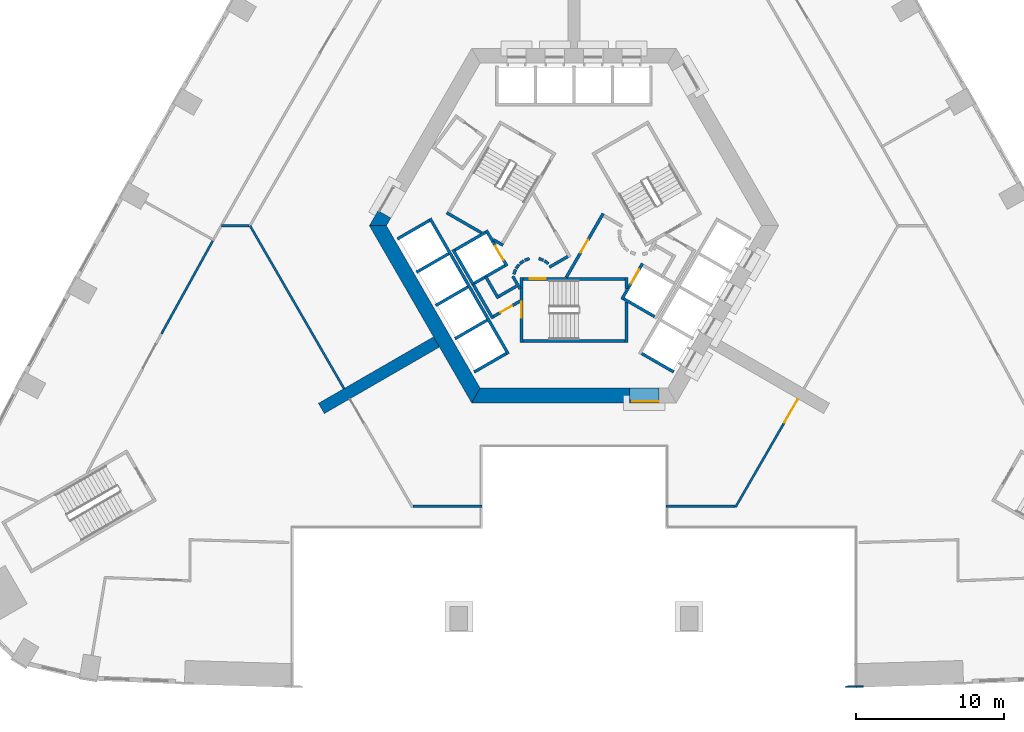
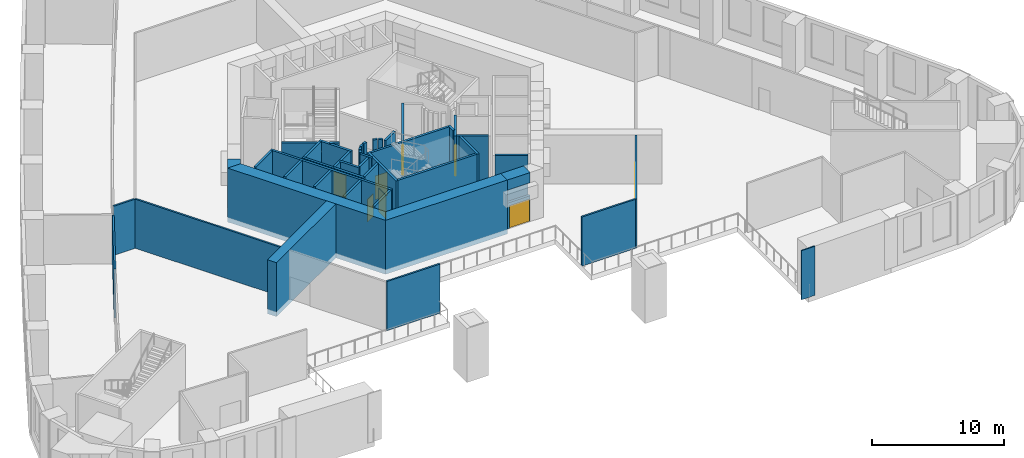
# One storey, part 3 of 16: 46 walls, 8 doors, 8 openings.
"""IFC4 building model written with IfcOpenShell, lengths in metres."""

from ifc_helpers import new_model, si_unit, direction, frame, frame_2d, origin, place, context, subcontext, project, spatial, polyline, rectangle, outline, extrude, material, layer, layer_set, type_object, element, fill, save


model = new_model("IFC4")

# Units and contexts
model_context = context("Model", 3, precision=1e-05, world=origin(), true_north=direction((0.0, 1.0)))
body_context = subcontext(model_context, "Body", "Model", "MODEL_VIEW")
ifc_project = project(units=[si_unit("LENGTHUNIT", "METRE"), si_unit("AREAUNIT", "SQUARE_METRE"), si_unit("VOLUMEUNIT", "CUBIC_METRE"), si_unit("PLANEANGLEUNIT", "RADIAN"), si_unit("MASSUNIT", "GRAM", prefix="KILO")], contexts=[model_context])

# Site, building, storey
site_placement = place(None, origin())
site = spatial("IfcSite", under=ifc_project, at=site_placement, CompositionType="ELEMENT")
building_placement = place(site_placement, origin())
building = spatial("IfcBuilding", under=site, at=building_placement, Name="Entoto Arch Interchange Tower", CompositionType="ELEMENT")
storey_placement = place(building_placement, frame((0.0, 0.0, 20.0)))
storey = spatial("IfcBuildingStorey", under=building, at=storey_placement, Name="L03", CompositionType="ELEMENT", Elevation=20.0)

# Wall
ifc_material_1 = material(Name="Concrete C60/75", Category="concrete")
ifc_layer_1 = layer(ifc_material_1, 0.800048828125)
ifc_layer_set_1 = layer_set([ifc_layer_1], Name="Concrete C60/75")
wall_type_1 = type_object("IfcWallType", Name="Buttress wall 800 C60/75", PredefinedType="SHEAR", material=ifc_layer_set_1)
wall_1_placement = place(storey_placement, frame((-9.31005859375, -5.375, -0.449951171875), z_axis=(0.0, 0.0, 1.0), x_axis=(-0.866017533419, -0.500013631625, 0.0)))
element("IfcWall", 1, at=wall_1_placement, inside=storey, type_object=wall_type_1, Name="Buttress wall SW L03", PredefinedType="SHEAR", context=body_context, shape_type="SweptSolid", body=[
    extrude(rectangle(XDim=8.999755859375, YDim=0.800048828125, at=frame_2d((4.5, 0.0))), origin(), (0.0, 0.0, 1.0), 5.0),
])

# Wall, opening, door
ifc_material_2 = material(Name="Reinforced concrete C40/50", Category="concrete")
ifc_layer_2 = layer(ifc_material_2, 0.199951171875)
ifc_layer_set_2 = layer_set([ifc_layer_2], Name="Reinforced concrete C40/50")
wall_type_2 = type_object("IfcWallType", Name="CORE GAP INFILL WALL", PredefinedType="PARTITIONING", material=ifc_layer_set_2)
wall_2_placement = place(storey_placement, frame((3.75, -9.39990234375, 0.0), z_axis=(0.0, 0.0, 1.0), x_axis=(1.0, 0.0, 0.0)))
wall_2 = element("IfcWall", 2, at=wall_2_placement, inside=storey, type_object=wall_type_2, Name="wall:L03:gap1", PredefinedType="PARTITIONING", context=body_context, shape_type="SweptSolid", body=[
    extrude(rectangle(XDim=2.0, YDim=0.199951171875, at=frame_2d((1.0, 0.0))), origin(), (0.0, 0.0, 1.0), 2.39990234375),
])
opening_1_placement = place(wall_2_placement, frame((0.18994140625, 0.0, 0.0)))
opening_1 = element("IfcOpeningElement", 3, at=opening_1_placement, cuts=wall_2, Name="Opening L03-D91", PredefinedType="OPENING", context=body_context, shape_type="SweptSolid", body=[
    extrude(rectangle(XDim=1.800048828125, YDim=2.10009765625, at=frame_2d((0.89990234375, 1.050048828125))), frame((0.0, 0.10986328125, 0.0), z_axis=(0.0, -1.0, 0.0), x_axis=(1.0, 0.0, 0.0)), (0.0, 0.0, 1.0), 0.219970703125),
])
ifc_material_3 = material(Name="Fire-rated Steel S235 door and frame", Category="steel")
door_type_1 = type_object("IfcDoorType", Name="DOOR FD-18 1800x2100", OperationType="DOUBLE_DOOR_SINGLE_SWING", PredefinedType="DOOR", material=ifc_material_3)
door_1_placement = place(opening_1_placement, origin())
door_1 = element("IfcDoor", 4, at=door_1_placement, inside=storey, type_object=door_type_1, Name="door:L03:gap1", OperationType="DOUBLE_DOOR_SINGLE_SWING", OverallHeight=2.10009765625, OverallWidth=1.800048828125, PredefinedType="DOOR", context=body_context, shape_type="SweptSolid", body=[
    extrude(rectangle(XDim=1.800048828125, YDim=2.10009765625, at=frame_2d((0.89990234375, 1.050048828125))), frame((0.0, 0.02490234375, 0.0), z_axis=(0.0, -1.0, 0.0), x_axis=(1.0, 0.0, 0.0)), (0.0, 0.0, 1.0), 0.050048828125),
])
fill(opening_1, door_1)

# Walls
ifc_layer_3 = layer(ifc_material_1, 1.0)
ifc_layer_set_3 = layer_set([ifc_layer_3], Name="Concrete C60/75")
wall_type_3 = type_object("IfcWallType", Name="Core wall 1000 C60/75", PredefinedType="SHEAR", material=ifc_layer_set_3)
wall_3_placement = place(storey_placement, frame((0.0, 0.0, -0.449951171875)))
element("IfcWall", 5, at=wall_3_placement, inside=storey, type_object=wall_type_3, Name="Core wall NW L03", PredefinedType="SHEAR", context=body_context, shape_type="SweptSolid", body=[
    extrude(outline(polyline([(-12.402099609375, 3.02001953125), (-13.26708984375, 3.52001953125), (-13.85595703125, 2.5), (-12.701904296875, 2.5), (-12.402099609375, 3.02001953125)])), origin(), (0.0, 0.0, 1.0), 5.0),
])
wall_4_placement = place(storey_placement, frame((0.0, 0.0, -0.449951171875)))
element("IfcWall", 6, at=wall_4_placement, inside=storey, type_object=wall_type_3, Name="Core wall SW L03", PredefinedType="SHEAR", context=body_context, shape_type="SweptSolid", body=[
    extrude(outline(polyline([(-13.85595703125, 2.5), (-6.927978515625, -9.5), (-6.35107421875, -8.5), (-12.701904296875, 2.5), (-13.85595703125, 2.5)])), origin(), (0.0, 0.0, 1.0), 5.0),
])
wall_5_placement = place(storey_placement, frame((0.0, 0.0, -0.449951171875)))
element("IfcWall", 7, at=wall_5_placement, inside=storey, type_object=wall_type_3, Name="Core wall S L03", PredefinedType="SHEAR", context=body_context, shape_type="SweptSolid", body=[
    extrude(outline(polyline([(3.75, -9.5), (3.75, -8.5), (-6.35107421875, -8.5), (-6.927978515625, -9.5), (3.75, -9.5)])), origin(), (0.0, 0.0, 1.0), 5.0),
])
wall_6_placement = place(storey_placement, frame((0.0, 0.0, 3.60009765625)))
element("IfcWall", 8, at=wall_6_placement, inside=storey, type_object=wall_type_3, Name="Core wall lintel S L03", PredefinedType="SHEAR", context=body_context, shape_type="SweptSolid", body=[
    extrude(outline(polyline([(5.75, -9.5), (5.75, -8.5), (3.75, -8.5), (3.75, -9.5), (5.75, -9.5)])), origin(), (0.0, 0.0, 1.0), 0.949951171875),
])

# Wall, opening, door
ifc_material_4 = material(Name="Concrete C40/50", Category="concrete")
ifc_layer_4 = layer(ifc_material_4, 0.199951171875)
ifc_layer_set_4 = layer_set([ifc_layer_4], Name="Concrete C40/50")
wall_type_4 = type_object("IfcWallType", Name="LIFT SHAFT WALL 200", PredefinedType="STANDARD", material=ifc_layer_set_4)
wall_7_placement = place(storey_placement, frame((-5.93994140625, 2.18798828125, 0.0), z_axis=(0.0, 0.0, 1.0), x_axis=(0.49994636267, -0.866056369097, 0.0)))
wall_7 = element("IfcWall", 9, at=wall_7_placement, inside=storey, type_object=wall_type_4, Name="Shaft wall SW1 front", PredefinedType="STANDARD", context=body_context, shape_type="SweptSolid", body=[
    extrude(rectangle(XDim=2.800048828125, YDim=0.199951171875, at=frame_2d((1.39990234375, 0.0))), origin(), (0.0, 0.0, 1.0), 4.550048828125),
])
opening_2_placement = place(wall_7_placement, frame((1.22509765625, 0.0, 0.0)))
opening_2 = element("IfcOpeningElement", 10, at=opening_2_placement, cuts=wall_7, Name="Opening LD-FF2-L03", PredefinedType="OPENING", context=body_context, shape_type="SweptSolid", body=[
    extrude(rectangle(XDim=1.10009765625, YDim=2.10009765625, at=frame_2d((0.550048828125, 1.050048828125))), frame((0.0, 0.10986328125, 0.0), z_axis=(0.0, -1.0, 0.0), x_axis=(1.0, 0.0, 0.0)), (0.0, 0.0, 1.0), 0.219970703125),
])
ifc_material_5 = material(Name="Stainless steel 1.4301 panels", Category="steel")
door_type_2 = type_object("IfcDoorType", Name="LIFT LANDING DOOR LD1 1100x2100", OperationType="SLIDING_TO_LEFT", PredefinedType="DOOR", material=ifc_material_5)
door_2_placement = place(opening_2_placement, origin())
door_2 = element("IfcDoor", 11, at=door_2_placement, inside=storey, type_object=door_type_2, Name="Lift landing door FF2 L03", OperationType="SLIDING_TO_LEFT", OverallHeight=2.10009765625, OverallWidth=1.10009765625, PredefinedType="DOOR", context=body_context, shape_type="SweptSolid", body=[
    extrude(rectangle(XDim=1.10009765625, YDim=2.10009765625, at=frame_2d((0.550048828125, 1.050048828125))), frame((0.0, 0.02490234375, 0.0), z_axis=(0.0, -1.0, 0.0), x_axis=(1.0, 0.0, 0.0)), (0.0, 0.0, 1.0), 0.050048828125),
])
fill(opening_2, door_2)

# Walls
wall_8_placement = place(storey_placement, frame((-8.19189453125, 0.887939453125, 0.0), z_axis=(0.0, 0.0, 1.0), x_axis=(0.49994636267, -0.866056369097, 0.0)))
element("IfcWall", 12, at=wall_8_placement, inside=storey, type_object=wall_type_4, Name="Shaft wall SW1 back", PredefinedType="STANDARD", context=body_context, shape_type="SweptSolid", body=[
    extrude(rectangle(XDim=2.800048828125, YDim=0.199951171875, at=frame_2d((1.39990234375, 0.0))), origin(), (0.0, 0.0, 1.0), 4.550048828125),
])
for number, where, z_axis, x_axis, name in (
    (13, (-5.97705078125, 2.052001953125, 0.0), (0.0, 0.0, 1.0), (-0.865973769406, -0.500089422704, 0.0), "Shaft wall SW1 cross 1"),
    (14, (-4.677001953125, -0.199951171875, 0.0), (0.0, 0.0, 1.0), (-0.865973769406, -0.500089422704, 0.0), "Shaft wall SW1 cross 2"),
):
    element("IfcWall", number, at=place(storey_placement, frame(where, z_axis=z_axis, x_axis=x_axis)), inside=storey, type_object=wall_type_4, Name=name, PredefinedType="STANDARD", context=body_context, shape_type="SweptSolid", body=[
        extrude(rectangle(XDim=2.3994140625, YDim=0.199951171875, at=frame_2d((1.19970703125, 0.0))), origin(), (0.0, 0.0, 1.0), 4.550048828125),
    ])
wall_9_placement = place(storey_placement, frame((-9.7509765625, 2.989990234375, 0.0), z_axis=(0.0, 0.0, 1.0), x_axis=(0.50000090737, -0.866024879913, 0.0)))
element("IfcWall", 15, at=wall_9_placement, inside=storey, type_object=wall_type_4, Name="Shaft wall SW3 front", PredefinedType="STANDARD", context=body_context, shape_type="SweptSolid", body=[
    extrude(rectangle(XDim=10.60009765625, YDim=0.199951171875, at=frame_2d((5.300048828125, 0.0))), origin(), (0.0, 0.0, 1.0), 4.550048828125),
])
wall_10_placement = place(storey_placement, frame((-9.7880859375, 2.85302734375, 0.0), z_axis=(0.0, 0.0, 1.0), x_axis=(-0.865998541277, -0.500046524342, 0.0)))
element("IfcWall", 16, at=wall_10_placement, inside=storey, type_object=wall_type_4, Name="Shaft wall SW3 cross 1", PredefinedType="STANDARD", context=body_context, shape_type="SweptSolid", body=[
    extrude(rectangle(XDim=2.499755859375, YDim=0.199951171875, at=frame_2d((1.25, 0.0))), origin(), (0.0, 0.0, 1.0), 4.550048828125),
])
for number, where, z_axis, x_axis, name in (
    (17, (-8.488037109375, 0.60205078125, 0.0), (0.0, 0.0, 1.0), (-0.866022959057, -0.500004234368, 0.0), "Shaft wall SW3 cross 2"),
    (18, (-7.18798828125, -1.64990234375, 0.0), (0.0, 0.0, 1.0), (-0.866022959057, -0.500004234368, 0.0), "Shaft wall SW3 cross 3"),
    (19, (-5.887939453125, -3.902099609375, 0.0), (0.0, 0.0, 1.0), (-0.866022959057, -0.500004234368, 0.0), "Shaft wall SW3 cross 4"),
    (20, (-4.587890625, -6.153076171875, 0.0), (0.0, 0.0, 1.0), (-0.866022959057, -0.500004234368, 0.0), "Shaft wall SW3 cross 5"),
):
    element("IfcWall", number, at=place(storey_placement, frame(where, z_axis=z_axis, x_axis=x_axis)), inside=storey, type_object=wall_type_4, Name=name, PredefinedType="STANDARD", context=body_context, shape_type="SweptSolid", body=[
        extrude(rectangle(XDim=2.5, YDim=0.199951171875, at=frame_2d((1.25, 0.0))), origin(), (0.0, 0.0, 1.0), 4.550048828125),
    ])

# Wall, opening, door
wall_11_placement = place(storey_placement, frame((3.239990234375, -2.488037109375, 0.0), z_axis=(0.0, 0.0, 1.0), x_axis=(0.49994636267, 0.866056369097, 0.0)))
wall_11 = element("IfcWall", 21, at=wall_11_placement, inside=storey, type_object=wall_type_4, Name="Shaft wall SE1 front", PredefinedType="STANDARD", context=body_context, shape_type="SweptSolid", body=[
    extrude(rectangle(XDim=2.800048828125, YDim=0.199951171875, at=frame_2d((1.39990234375, 0.0))), origin(), (0.0, 0.0, 1.0), 4.550048828125),
])
opening_3_placement = place(wall_11_placement, frame((1.22509765625, 0.0, 0.0)))
opening_3 = element("IfcOpeningElement", 22, at=opening_3_placement, cuts=wall_11, Name="Opening LD-FF1-L03", PredefinedType="OPENING", context=body_context, shape_type="SweptSolid", body=[
    extrude(rectangle(XDim=1.10009765625, YDim=2.10009765625, at=frame_2d((0.550048828125, 1.050048828125))), frame((0.0, 0.10986328125, 0.0), z_axis=(0.0, -1.0, 0.0), x_axis=(1.0, 0.0, 0.0)), (0.0, 0.0, 1.0), 0.219970703125),
])
door_3_placement = place(opening_3_placement, origin())
door_3 = element("IfcDoor", 23, at=door_3_placement, inside=storey, type_object=door_type_2, Name="Lift landing door FF1 L03", OperationType="SLIDING_TO_LEFT", OverallHeight=2.10009765625, OverallWidth=1.10009765625, PredefinedType="DOOR", context=body_context, shape_type="SweptSolid", body=[
    extrude(rectangle(XDim=1.10009765625, YDim=2.10009765625, at=frame_2d((0.550048828125, 1.050048828125))), frame((0.0, 0.02490234375, 0.0), z_axis=(0.0, -1.0, 0.0), x_axis=(1.0, 0.0, 0.0)), (0.0, 0.0, 1.0), 0.050048828125),
])
fill(opening_3, door_3)

# Walls
wall_12_placement = place(storey_placement, frame((3.376953125, -2.451904296875, 0.0), z_axis=(0.0, 0.0, 1.0), x_axis=(0.865955154139, -0.50012165622, 0.0)))
element("IfcWall", 24, at=wall_12_placement, inside=storey, type_object=wall_type_4, Name="Shaft wall SE1 cross 1", PredefinedType="STANDARD", context=body_context, shape_type="SweptSolid", body=[
    extrude(rectangle(XDim=2.39990234375, YDim=0.199951171875, at=frame_2d((1.199951171875, 0.0))), origin(), (0.0, 0.0, 1.0), 4.550048828125),
])
wall_13_placement = place(storey_placement, frame((4.587890625, -6.153076171875, 0.0), z_axis=(0.0, 0.0, 1.0), x_axis=(0.866022959057, -0.500004234368, 0.0)))
element("IfcWall", 25, at=wall_13_placement, inside=storey, type_object=wall_type_4, Name="Shaft wall SE3 cross 1", PredefinedType="STANDARD", context=body_context, shape_type="SweptSolid", body=[
    extrude(rectangle(XDim=2.5, YDim=0.199951171875, at=frame_2d((1.25, 0.0))), origin(), (0.0, 0.0, 1.0), 4.550048828125),
])
ifc_material_6 = material(Name="Gypsum board partition on steel studs", Category="steel")
ifc_layer_5 = layer(ifc_material_6, 0.14990234375)
ifc_layer_set_5 = layer_set([ifc_layer_5], Name="Gypsum board partition on steel studs")
wall_type_5 = type_object("IfcWallType", Name="PARTITION 150", PredefinedType="PARTITIONING", material=ifc_layer_set_5)
wall_14_placement = place(storey_placement, frame((-24.4580078125, 1.47705078125, 0.0), z_axis=(0.0, 0.0, 1.0), x_axis=(-0.483150131412, -0.875537520907, 0.0)))
element("IfcWall", 26, at=wall_14_placement, inside=storey, type_object=wall_type_5, Name="wall:L03:p065", PredefinedType="PARTITIONING", context=body_context, shape_type="SweptSolid", body=[
    extrude(rectangle(XDim=7.181884765625, YDim=0.14990234375, at=frame_2d((3.5908203125, 0.0))), origin(), (0.0, 0.0, 1.0), 4.550048828125),
])
for number, where, z_axis, x_axis, name in (
    (27, (-6.219970703125, -16.5, 0.0), (0.0, 0.0, 1.0), (-1.0, 0.0, 0.0), "wall:L03:p069"),
    (28, (10.89501953125, -16.5, 0.0), (0.0, 0.0, 1.0), (-1.0, 0.0, 0.0), "wall:L03:p072"),
):
    element("IfcWall", number, at=place(storey_placement, frame(where, z_axis=z_axis, x_axis=x_axis)), inside=storey, type_object=wall_type_5, Name=name, PredefinedType="PARTITIONING", context=body_context, shape_type="SweptSolid", body=[
        extrude(rectangle(XDim=4.675048828125, YDim=0.14990234375, at=frame_2d((2.33740234375, 0.0))), origin(), (0.0, 0.0, 1.0), 4.550048828125),
    ])
wall_15_placement = place(storey_placement, frame((-23.881103515625, 2.5, 0.0), z_axis=(0.0, 0.0, 1.0), x_axis=(1.0, 0.0, 0.0)))
element("IfcWall", 29, at=wall_15_placement, inside=storey, type_object=wall_type_5, Name="wall:L03:p076", PredefinedType="PARTITIONING", context=body_context, shape_type="SweptSolid", body=[
    extrude(rectangle(XDim=1.8671875, YDim=0.14990234375, at=frame_2d((0.93359375, 0.0))), origin(), (0.0, 0.0, 1.0), 4.550048828125),
])
wall_16_placement = place(storey_placement, frame((-15.572021484375, -8.529052734375, 0.0), z_axis=(0.0, 0.0, 1.0), x_axis=(-0.499959763273, 0.866048633224, 0.0)))
element("IfcWall", 30, at=wall_16_placement, inside=storey, type_object=wall_type_5, Name="wall:L03:p070", PredefinedType="PARTITIONING", context=body_context, shape_type="SweptSolid", body=[
    extrude(rectangle(XDim=12.73486328125, YDim=0.14990234375, at=frame_2d((6.367431640625, 0.0))), origin(), (0.0, 0.0, 1.0), 4.550048828125),
])

# Wall, opening, door
wall_17_placement = place(storey_placement, frame((15.172119140625, -9.221923828125, 0.0), z_axis=(0.0, 0.0, 1.0), x_axis=(-0.499957584211, -0.866049891167, 0.0)))
wall_17 = element("IfcWall", 31, at=wall_17_placement, inside=storey, type_object=wall_type_5, Name="wall:L03:p071", PredefinedType="PARTITIONING", context=body_context, shape_type="SweptSolid", body=[
    extrude(rectangle(XDim=8.478759765625, YDim=0.14990234375, at=frame_2d((4.2392578125, 0.0))), origin(), (0.0, 0.0, 1.0), 4.550048828125),
])
opening_4_placement = place(wall_17_placement, frame((0.044921875, 0.0, 0.0)))
opening_4 = element("IfcOpeningElement", 32, at=opening_4_placement, cuts=wall_17, Name="Opening L03-D02", PredefinedType="OPENING", context=body_context, shape_type="SweptSolid", body=[
    extrude(rectangle(XDim=1.800048828125, YDim=2.10009765625, at=frame_2d((0.89990234375, 1.050048828125))), frame((0.0, 0.0849609375, 0.0), z_axis=(0.0, -1.0, 0.0), x_axis=(1.0, 0.0, 0.0)), (0.0, 0.0, 1.0), 0.169921875),
])
door_4_placement = place(opening_4_placement, origin())
door_4 = element("IfcDoor", 33, at=door_4_placement, inside=storey, type_object=door_type_1, Name="door:L03:02", OperationType="DOUBLE_DOOR_SINGLE_SWING", OverallHeight=2.10009765625, OverallWidth=1.800048828125, PredefinedType="DOOR", context=body_context, shape_type="SweptSolid", body=[
    extrude(rectangle(XDim=1.800048828125, YDim=2.10009765625, at=frame_2d((0.89990234375, 1.050048828125))), frame((0.0, 0.02490234375, 0.0), z_axis=(0.0, -1.0, 0.0), x_axis=(1.0, 0.0, 0.0)), (0.0, 0.0, 1.0), 0.050048828125),
])
fill(opening_4, door_4)

# Walls
ifc_layer_6 = layer(ifc_material_6, 0.199951171875)
ifc_layer_set_6 = layer_set([ifc_layer_6], Name="Gypsum board partition on steel studs")
wall_type_6 = type_object("IfcWallType", Name="PARTITION 200", PredefinedType="PARTITIONING", material=ifc_layer_set_6)
wall_18_placement = place(storey_placement, frame((-3.89990234375, -1.59912109375, 0.0), z_axis=(0.0, 0.0, 1.0), x_axis=(-0.865969445389, -0.500096910261, 0.0)))
element("IfcWall", 34, at=wall_18_placement, inside=storey, type_object=wall_type_6, Name="wall:L03:p007", PredefinedType="PARTITIONING", context=body_context, shape_type="SweptSolid", body=[
    extrude(rectangle(XDim=1.373291015625, YDim=0.199951171875, at=frame_2d((0.6865234375, 0.0))), origin(), (0.0, 0.0, 1.0), 4.550048828125),
])
wall_19_placement = place(storey_placement, frame((-5.1259765625, -2.422119140625, 0.0), z_axis=(0.0, 0.0, 1.0), x_axis=(-0.500062241894, 0.865989465428, 0.0)))
element("IfcWall", 35, at=wall_19_placement, inside=storey, type_object=wall_type_6, Name="wall:L03:p008", PredefinedType="PARTITIONING", context=body_context, shape_type="SweptSolid", body=[
    extrude(rectangle(XDim=1.699951171875, YDim=0.199951171875, at=frame_2d((0.85009765625, 0.0))), origin(), (0.0, 0.0, 1.0), 4.550048828125),
])
wall_20_placement = place(storey_placement, frame((-5.491943359375, -3.7880859375, 0.0), z_axis=(0.0, 0.0, 1.0), x_axis=(-0.500008949224, 0.866020236886, 0.0)))
element("IfcWall", 36, at=wall_20_placement, inside=storey, type_object=wall_type_6, Name="wall:L03:p009", PredefinedType="PARTITIONING", context=body_context, shape_type="SweptSolid", body=[
    extrude(rectangle(XDim=2.68017578125, YDim=0.199951171875, at=frame_2d((1.340087890625, 0.0))), origin(), (0.0, 0.0, 1.0), 4.550048828125),
])
wall_21_placement = place(storey_placement, frame((-4.14501953125, -0.919921875, 0.0), z_axis=(0.0, 0.0, 1.0), x_axis=(0.499743786207, -0.866173278362, 0.0)))
element("IfcWall", 37, at=wall_21_placement, inside=storey, type_object=wall_type_6, Name="wall:L03:p010", PredefinedType="PARTITIONING", context=body_context, shape_type="SweptSolid", body=[
    extrude(rectangle(XDim=0.99072265625, YDim=0.199951171875, at=frame_2d((0.495361328125, 0.0))), origin(), (0.0, 0.0, 1.0), 4.550048828125),
])

# Wall, opening, door
wall_22_placement = place(storey_placement, frame((-3.64990234375, -2.610107421875, 0.0), z_axis=(0.0, 0.0, 1.0), x_axis=(-0.866072462134, -0.499918483688, 0.0)))
wall_22 = element("IfcWall", 38, at=wall_22_placement, inside=storey, type_object=wall_type_6, Name="wall:L03:p011", PredefinedType="PARTITIONING", context=body_context, shape_type="SweptSolid", body=[
    extrude(rectangle(XDim=2.084228515625, YDim=0.199951171875, at=frame_2d((1.0419921875, 0.0))), origin(), (0.0, 0.0, 1.0), 4.550048828125),
])
opening_5_placement = place(wall_22_placement, frame((0.64208984375, 0.0, 0.0)))
opening_5 = element("IfcOpeningElement", 39, at=opening_5_placement, cuts=wall_22, Name="Opening L03-D15", PredefinedType="OPENING", context=body_context, shape_type="SweptSolid", body=[
    extrude(rectangle(XDim=0.89990234375, YDim=2.10009765625, at=frame_2d((0.449951171875, 1.050048828125))), frame((0.0, 0.10986328125, 0.0), z_axis=(0.0, -1.0, 0.0), x_axis=(1.0, 0.0, 0.0)), (0.0, 0.0, 1.0), 0.219970703125),
])
ifc_material_7 = material(Name="Timber door leaf in Steel S235 frame", Category="steel")
door_type_3 = type_object("IfcDoorType", Name="DOOR DS-09 900x2100", OperationType="SINGLE_SWING_LEFT", PredefinedType="DOOR", material=ifc_material_7)
door_5_placement = place(opening_5_placement, origin())
door_5 = element("IfcDoor", 40, at=door_5_placement, inside=storey, type_object=door_type_3, Name="door:L03:15", OperationType="SINGLE_SWING_LEFT", OverallHeight=2.10009765625, OverallWidth=0.89990234375, PredefinedType="DOOR", context=body_context, shape_type="SweptSolid", body=[
    extrude(rectangle(XDim=0.89990234375, YDim=2.10009765625, at=frame_2d((0.449951171875, 1.050048828125))), frame((0.0, 0.02490234375, 0.0), z_axis=(0.0, -1.0, 0.0), x_axis=(1.0, 0.0, 0.0)), (0.0, 0.0, 1.0), 0.050048828125),
])
fill(opening_5, door_5)

wall_23_placement = place(storey_placement, frame((-0.52001953125, -1.0, 0.0), z_axis=(0.0, 0.0, 1.0), x_axis=(0.50011622646, 0.865958290007, 0.0)))
wall_23 = element("IfcWall", 41, at=wall_23_placement, inside=storey, type_object=wall_type_6, Name="wall:L03:p022", PredefinedType="PARTITIONING", context=body_context, shape_type="SweptSolid", body=[
    extrude(rectangle(XDim=4.990966796875, YDim=0.199951171875, at=frame_2d((2.49560546875, 0.0))), origin(), (0.0, 0.0, 1.0), 4.550048828125),
])
opening_6_placement = place(wall_23_placement, frame((1.945068359375, 0.0, 0.0)))
opening_6 = element("IfcOpeningElement", 42, at=opening_6_placement, cuts=wall_23, Name="Opening L03-D12", PredefinedType="OPENING", context=body_context, shape_type="SweptSolid", body=[
    extrude(rectangle(XDim=1.0, YDim=2.10009765625, at=frame_2d((0.5, 1.050048828125))), frame((0.0, 0.10986328125, 0.0), z_axis=(0.0, -1.0, 0.0), x_axis=(1.0, 0.0, 0.0)), (0.0, 0.0, 1.0), 0.219970703125),
])
door_type_4 = type_object("IfcDoorType", Name="DOOR FD-10 1000x2100", OperationType="SINGLE_SWING_LEFT", PredefinedType="DOOR", material=ifc_material_3)
door_6_placement = place(opening_6_placement, origin())
door_6 = element("IfcDoor", 43, at=door_6_placement, inside=storey, type_object=door_type_4, Name="door:L03:12", OperationType="SINGLE_SWING_LEFT", OverallHeight=2.10009765625, OverallWidth=1.0, PredefinedType="DOOR", context=body_context, shape_type="SweptSolid", body=[
    extrude(rectangle(XDim=1.0, YDim=2.10009765625, at=frame_2d((0.5, 1.050048828125))), frame((0.0, 0.02490234375, 0.0), z_axis=(0.0, -1.0, 0.0), x_axis=(1.0, 0.0, 0.0)), (0.0, 0.0, 1.0), 0.050048828125),
])
fill(opening_6, door_6)

# Walls
wall_24_placement = place(storey_placement, frame((-0.412109375, 0.4140625, 0.0), z_axis=(0.0, 0.0, 1.0), x_axis=(-0.866017369001, -0.500013916395, 0.0)))
element("IfcWall", 44, at=wall_24_placement, inside=storey, type_object=wall_type_6, Name="wall:L03:p024", PredefinedType="PARTITIONING", context=body_context, shape_type="SweptSolid", body=[
    extrude(rectangle(XDim=1.4501953125, YDim=0.199951171875, at=frame_2d((0.72509765625, 0.0))), origin(), (0.0, 0.0, 1.0), 4.550048828125),
])
wall_25_placement = place(storey_placement, frame((-1.73095703125, -0.076904296875, 0.0), z_axis=(0.0, 0.0, 1.0), x_axis=(-0.804311165252, 0.594208338422, 0.0)))
element("IfcWall", 45, at=wall_25_placement, inside=storey, type_object=wall_type_6, Name="wall:L03:p025", PredefinedType="PARTITIONING", context=body_context, shape_type="SweptSolid", body=[
    extrude(rectangle(XDim=0.338134765625, YDim=0.199951171875, at=frame_2d((0.1689453125, 0.0))), origin(), (0.0, 0.0, 1.0), 4.550048828125),
])
wall_26_placement = place(storey_placement, frame((-2.070068359375, 0.159912109375, 0.0), z_axis=(0.0, 0.0, 1.0), x_axis=(-0.942199461132, 0.335052496547, 0.0)))
element("IfcWall", 46, at=wall_26_placement, inside=storey, type_object=wall_type_6, Name="wall:L03:p026", PredefinedType="PARTITIONING", context=body_context, shape_type="SweptSolid", body=[
    extrude(rectangle(XDim=0.33740234375, YDim=0.199951171875, at=frame_2d((0.168701171875, 0.0))), origin(), (0.0, 0.0, 1.0), 4.550048828125),
])
wall_27_placement = place(storey_placement, frame((-3.011962890625, 0.27294921875, 0.0), z_axis=(0.0, 0.0, 1.0), x_axis=(-0.942280615813, -0.334824194261, 0.0)))
element("IfcWall", 47, at=wall_27_placement, inside=storey, type_object=wall_type_6, Name="wall:L03:p027", PredefinedType="PARTITIONING", context=body_context, shape_type="SweptSolid", body=[
    extrude(rectangle(XDim=0.337646484375, YDim=0.199951171875, at=frame_2d((0.1689453125, 0.0))), origin(), (0.0, 0.0, 1.0), 4.550048828125),
])
wall_28_placement = place(storey_placement, frame((-3.39697265625, 0.1240234375, 0.0), z_axis=(0.0, 0.0, 1.0), x_axis=(-0.804311165252, -0.594208338422, 0.0)))
element("IfcWall", 48, at=wall_28_placement, inside=storey, type_object=wall_type_6, Name="wall:L03:p028", PredefinedType="PARTITIONING", context=body_context, shape_type="SweptSolid", body=[
    extrude(rectangle(XDim=0.338134765625, YDim=0.199951171875, at=frame_2d((0.1689453125, 0.0))), origin(), (0.0, 0.0, 1.0), 4.550048828125),
])
wall_29_placement = place(storey_placement, frame((-3.722900390625, -0.131103515625, 0.0), z_axis=(0.0, 0.0, 1.0), x_axis=(-0.594675113454, -0.803966112121, 0.0)))
element("IfcWall", 49, at=wall_29_placement, inside=storey, type_object=wall_type_6, Name="wall:L03:p029", PredefinedType="PARTITIONING", context=body_context, shape_type="SweptSolid", body=[
    extrude(rectangle(XDim=0.33837890625, YDim=0.199951171875, at=frame_2d((0.169189453125, 0.0))), origin(), (0.0, 0.0, 1.0), 4.550048828125),
])
wall_30_placement = place(storey_placement, frame((-3.9599609375, -0.469970703125, 0.0), z_axis=(0.0, 0.0, 1.0), x_axis=(-0.334824194261, -0.942280615813, 0.0)))
element("IfcWall", 50, at=wall_30_placement, inside=storey, type_object=wall_type_6, Name="wall:L03:p030", PredefinedType="PARTITIONING", context=body_context, shape_type="SweptSolid", body=[
    extrude(rectangle(XDim=0.337646484375, YDim=0.199951171875, at=frame_2d((0.1689453125, 0.0))), origin(), (0.0, 0.0, 1.0), 4.550048828125),
])

# Wall, opening, door
ifc_layer_7 = layer(ifc_material_4, 0.199951171875)
ifc_layer_set_7 = layer_set([ifc_layer_7], Name="Concrete C40/50")
wall_type_7 = type_object("IfcWallType", Name="STAIR ENCLOSURE WALL 200", PredefinedType="STANDARD", material=ifc_layer_set_7)
wall_31_placement = place(storey_placement, frame((-3.550048828125, -1.0, 0.0), z_axis=(0.0, 0.0, 1.0), x_axis=(0.0, -1.0, 0.0)))
wall_31 = element("IfcWall", 51, at=wall_31_placement, inside=storey, type_object=wall_type_7, Name="Stair wall ST-S near", PredefinedType="STANDARD", context=body_context, shape_type="SweptSolid", body=[
    extrude(rectangle(XDim=4.39990234375, YDim=0.199951171875, at=frame_2d((2.199951171875, 0.0))), origin(), (0.0, 0.0, 1.0), 4.550048828125),
])
opening_7_placement = place(wall_31_placement, frame((1.64990234375, 0.0, 0.0)))
opening_7 = element("IfcOpeningElement", 52, at=opening_7_placement, cuts=wall_31, Name="Opening SD-ST-S-L03-E", PredefinedType="OPENING", context=body_context, shape_type="SweptSolid", body=[
    extrude(rectangle(XDim=1.10009765625, YDim=2.199951171875, at=frame_2d((0.550048828125, 1.10009765625))), frame((0.0, 0.10986328125, 0.0), z_axis=(0.0, -1.0, 0.0), x_axis=(1.0, 0.0, 0.0)), (0.0, 0.0, 1.0), 0.219970703125),
])
ifc_material_8 = material(Name="Steel S235", Category="steel")
door_type_5 = type_object("IfcDoorType", Name="STAIR DOOR SD1 1100x2200", OperationType="SINGLE_SWING_LEFT", PredefinedType="DOOR", material=ifc_material_8)
door_7_placement = place(opening_7_placement, origin())
door_7 = element("IfcDoor", 53, at=door_7_placement, inside=storey, type_object=door_type_5, Name="Stair door ST-S L03 end", OperationType="SINGLE_SWING_LEFT", OverallHeight=2.199951171875, OverallWidth=1.10009765625, PredefinedType="DOOR", context=body_context, shape_type="SweptSolid", body=[
    extrude(rectangle(XDim=1.10009765625, YDim=2.199951171875, at=frame_2d((0.550048828125, 1.10009765625))), frame((0.0, 0.02490234375, 0.0), z_axis=(0.0, -1.0, 0.0), x_axis=(1.0, 0.0, 0.0)), (0.0, 0.0, 1.0), 0.050048828125),
])
fill(opening_7, door_7)

# Walls
wall_32_placement = place(storey_placement, frame((3.550048828125, -2.6669921875, 0.0), z_axis=(0.0, 0.0, 1.0), x_axis=(0.0, -1.0, 0.0)))
element("IfcWall", 54, at=wall_32_placement, inside=storey, type_object=wall_type_7, Name="Stair wall ST-S far", PredefinedType="STANDARD", context=body_context, shape_type="SweptSolid", body=[
    extrude(rectangle(XDim=2.73291015625, YDim=0.199951171875, at=frame_2d((1.366455078125, 0.0))), origin(), (0.0, 0.0, 1.0), 4.550048828125),
])
wall_33_placement = place(storey_placement, frame((3.550048828125, -1.0, 0.0), z_axis=(0.0, 0.0, 1.0), x_axis=(0.0, -1.0, 0.0)))
element("IfcWall", 55, at=wall_33_placement, inside=storey, type_object=wall_type_7, Name="Stair wall ST-S far return", PredefinedType="STANDARD", context=body_context, shape_type="SweptSolid", body=[
    extrude(rectangle(XDim=0.7509765625, YDim=0.199951171875, at=frame_2d((0.37548828125, 0.0))), origin(), (0.0, 0.0, 1.0), 4.550048828125),
])

# Wall, opening, door
wall_34_placement = place(storey_placement, frame((-3.449951171875, -1.10009765625, 0.0), z_axis=(0.0, 0.0, 1.0), x_axis=(1.0, 0.0, 0.0)))
wall_34 = element("IfcWall", 56, at=wall_34_placement, inside=storey, type_object=wall_type_7, Name="Stair wall ST-S hall", PredefinedType="STANDARD", context=body_context, shape_type="SweptSolid", body=[
    extrude(rectangle(XDim=6.89990234375, YDim=0.199951171875, at=frame_2d((3.449951171875, 0.0))), origin(), (0.0, 0.0, 1.0), 4.550048828125),
])
opening_8_placement = place(wall_34_placement, frame((0.449951171875, 0.0, 0.0)))
opening_8 = element("IfcOpeningElement", 57, at=opening_8_placement, cuts=wall_34, Name="Opening SD-ST-S-L03", PredefinedType="OPENING", context=body_context, shape_type="SweptSolid", body=[
    extrude(rectangle(XDim=1.10009765625, YDim=2.199951171875, at=frame_2d((0.550048828125, 1.10009765625))), frame((0.0, 0.10986328125, 0.0), z_axis=(0.0, -1.0, 0.0), x_axis=(1.0, 0.0, 0.0)), (0.0, 0.0, 1.0), 0.219970703125),
])
door_8_placement = place(opening_8_placement, origin())
door_8 = element("IfcDoor", 58, at=door_8_placement, inside=storey, type_object=door_type_5, Name="Stair door ST-S L03", OperationType="SINGLE_SWING_LEFT", OverallHeight=2.199951171875, OverallWidth=1.10009765625, PredefinedType="DOOR", context=body_context, shape_type="SweptSolid", body=[
    extrude(rectangle(XDim=1.10009765625, YDim=2.199951171875, at=frame_2d((0.550048828125, 1.10009765625))), frame((0.0, 0.02490234375, 0.0), z_axis=(0.0, -1.0, 0.0), x_axis=(1.0, 0.0, 0.0)), (0.0, 0.0, 1.0), 0.050048828125),
])
fill(opening_8, door_8)

# Walls
wall_35_placement = place(storey_placement, frame((-3.449951171875, -5.300048828125, 0.0), z_axis=(0.0, 0.0, 1.0), x_axis=(1.0, 0.0, 0.0)))
element("IfcWall", 59, at=wall_35_placement, inside=storey, type_object=wall_type_7, Name="Stair wall ST-S back", PredefinedType="STANDARD", context=body_context, shape_type="SweptSolid", body=[
    extrude(rectangle(XDim=6.89990234375, YDim=0.199951171875, at=frame_2d((3.449951171875, 0.0))), origin(), (0.0, 0.0, 1.0), 4.550048828125),
])
wall_36_placement = place(storey_placement, frame((-6.25, 2.010009765625, 0.0), z_axis=(0.0, 0.0, 1.0), x_axis=(-0.86611865017, 0.499838457731, 0.0)))
element("IfcWall", 60, at=wall_36_placement, inside=storey, type_object=wall_type_7, Name="Stair wall ST-NW far", PredefinedType="STANDARD", context=body_context, shape_type="SweptSolid", body=[
    extrude(rectangle(XDim=2.73291015625, YDim=0.199951171875, at=frame_2d((1.366455078125, 0.0))), origin(), (0.0, 0.0, 1.0), 4.550048828125),
])
wall_37_placement = place(storey_placement, frame((-4.805908203125, 1.176025390625, 0.0), z_axis=(0.0, 0.0, 1.0), x_axis=(-0.866558586415, 0.499075361355, 0.0)))
element("IfcWall", 61, at=wall_37_placement, inside=storey, type_object=wall_type_7, Name="Stair wall ST-NW far return", PredefinedType="STANDARD", context=body_context, shape_type="SweptSolid", body=[
    extrude(rectangle(XDim=0.75146484375, YDim=0.199951171875, at=frame_2d((0.375732421875, 0.0))), origin(), (0.0, 0.0, 1.0), 4.550048828125),
])
ifc_material_9 = material(Name="Welded tuff (ignimbrite) cladding, warm buff", Category="masonry")
ifc_layer_8 = layer(ifc_material_9, 0.10009765625)
ifc_layer_set_8 = layer_set([ifc_layer_8], Name="Welded tuff (ignimbrite) cladding, warm buff")
wall_type_8 = type_object("IfcWallType", Name="STONE PIER CLADDING 100", PredefinedType="STANDARD", material=ifc_layer_set_8)
wall_38_placement = place(storey_placement, frame((18.39892578125, -28.720947265625, 0.0), z_axis=(0.0, 0.0, 1.0), x_axis=(0.999886724523, 0.015051183404, 0.0)))
element("IfcWall", 62, at=wall_38_placement, inside=storey, type_object=wall_type_8, Name="Stone pier S04 L03", PredefinedType="STANDARD", context=body_context, shape_type="SweptSolid", body=[
    extrude(rectangle(XDim=1.200439453125, YDim=0.10009765625, at=frame_2d((0.60009765625, 0.0))), origin(), (0.0, 0.0, 1.0), 4.550048828125),
])

save(model, "model.ifc")
